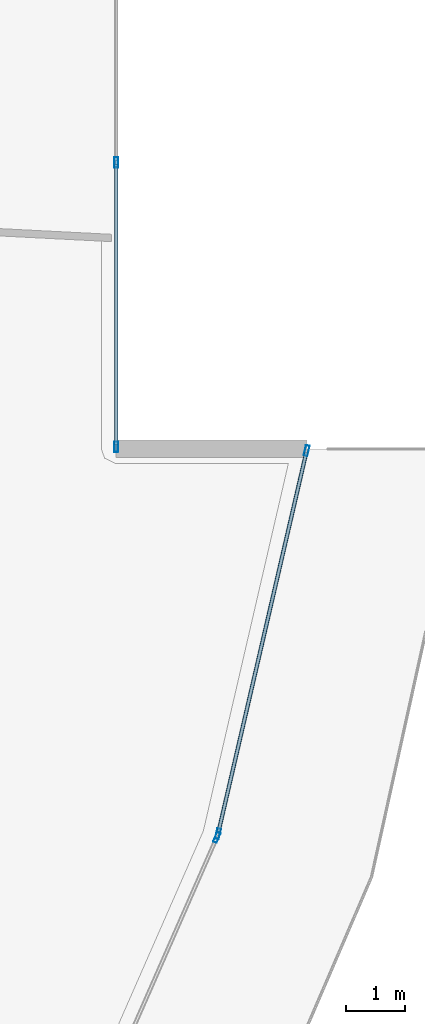
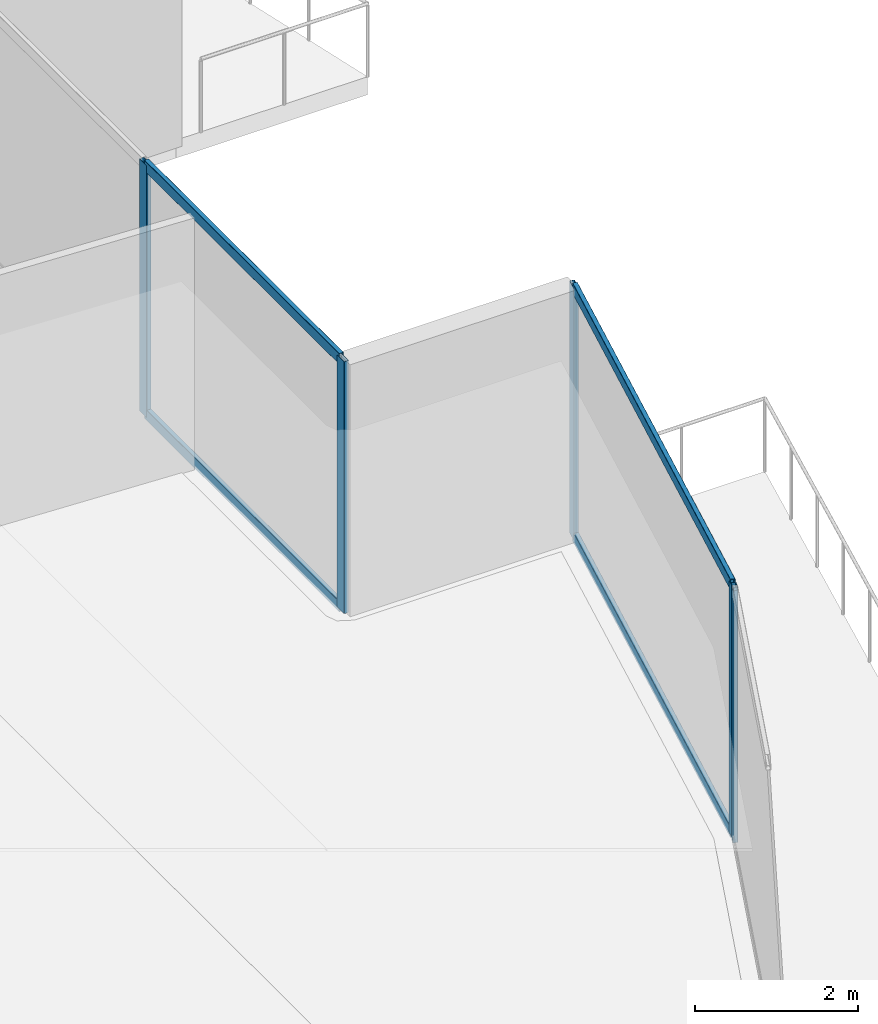
# One storey, part 12 of 38: 9 members, 3 elements without a shape of their own.
"""IFC4 building model written with IfcOpenShell, lengths in metres."""

import ifcopenshell
import ifcopenshell.guid

model = None  # the IFC model being written
_history = None  # IfcOwnerHistory: only IFC2X3 demands one
_inside = {}  # id of a spatial element -> (the spatial element, [elements in it])
_under = {}  # id of a project, library or spatial element -> (it, [spatial elements below it])
_declared = {}  # id of a project -> (the project, [libraries it declares])
_typed = {}  # id of a type object -> (the type object, [elements of that type])
_made_of = {}  # id of a material, layer set ... -> (it, [elements and type objects made of it])


def new_model(schema):
    """Start an empty IFC model of exactly this schema.

    Asked for "IFC4X3", IfcOpenShell would pick the latest addendum, in which some entities
    have other attributes; the version numbers below select the first issue.
    IFC2X3 requires an IfcOwnerHistory on every rooted entity: one is made here for all.
    """
    global model, _history
    if schema == "IFC4X3":
        model = ifcopenshell.file(schema_version=(4, 3, 0, 0))
    else:
        model = ifcopenshell.file(schema=schema)
    _inside.clear()
    _under.clear()
    _declared.clear()
    _typed.clear()
    _made_of.clear()
    _history = None
    if model.schema == "IFC2X3":
        org = make("IfcOrganization", Name="unknown")
        user = make(
            "IfcPersonAndOrganization",
            ThePerson=make("IfcPerson", FamilyName="unknown"),
            TheOrganization=org,
        )
        app = make(
            "IfcApplication",
            ApplicationDeveloper=org,
            Version="unknown",
            ApplicationFullName="unknown",
            ApplicationIdentifier="unknown",
        )
        _history = make(
            "IfcOwnerHistory",
            OwningUser=user,
            OwningApplication=app,
            ChangeAction="ADDED",
            CreationDate=0,
        )
    return model


def make(cls, **values):
    """One entity of the class cls with the attributes given. An attribute that is None is left unset."""
    return model.create_entity(
        cls, **{name: value for name, value in values.items() if value is not None}
    )


def rooted(cls, **values):
    """An entity with a GlobalId (a new one), such as an element, a storey or a relation."""
    return make(cls, GlobalId=ifcopenshell.guid.new(), OwnerHistory=_history, **values)


def si_unit(unit_type, name, prefix=None):
    """IfcSIUnit, for example si_unit("LENGTHUNIT", "METRE", prefix="MILLI")."""
    return make("IfcSIUnit", UnitType=unit_type, Prefix=prefix, Name=name)


def assignment(units):
    """IfcUnitAssignment: the units of a project."""
    return None if units is None else make("IfcUnitAssignment", Units=units)


def point(xyz):
    """IfcCartesianPoint."""
    return None if xyz is None else make("IfcCartesianPoint", Coordinates=xyz)


def direction(xyz):
    """IfcDirection."""
    return None if xyz is None else make("IfcDirection", DirectionRatios=xyz)


def frame(location, z_axis=None, x_axis=None):
    """IfcAxis2Placement3D, a coordinate frame: its origin and axes. An axis left out is left unset."""
    return make(
        "IfcAxis2Placement3D",
        Location=point(location),
        Axis=direction(z_axis),
        RefDirection=direction(x_axis),
    )


def frame_2d(location, x_axis=None):
    """IfcAxis2Placement2D, a coordinate frame in the plane: its origin and x axis."""
    return make(
        "IfcAxis2Placement2D", Location=point(location), RefDirection=direction(x_axis)
    )


def origin():
    """The frame at (0, 0, 0) with its axes left unset."""
    return frame((0.0, 0.0, 0.0))


def origin_2d():
    """The frame at (0, 0) in the plane with its x axis left unset."""
    return frame_2d((0.0, 0.0))


def place(relative_to, where):
    """IfcLocalPlacement: puts the frame where relative to a parent placement (None: the world)."""
    return make(
        "IfcLocalPlacement", PlacementRelTo=relative_to, RelativePlacement=where
    )


def context(
    kind, dimensions, precision=None, world=None, true_north=None, identifier=None
):
    """IfcGeometricRepresentationContext, for example the 3D "Model" context."""
    return make(
        "IfcGeometricRepresentationContext",
        ContextIdentifier=identifier,
        ContextType=kind,
        CoordinateSpaceDimension=dimensions,
        Precision=precision,
        WorldCoordinateSystem=world,
        TrueNorth=true_north,
    )


def subcontext(parent, identifier, kind, view, scale=None):
    """IfcGeometricRepresentationSubContext, for example "Body" below "Model"."""
    return make(
        "IfcGeometricRepresentationSubContext",
        ContextIdentifier=identifier,
        ContextType=kind,
        ParentContext=parent,
        TargetScale=scale,
        TargetView=view,
    )


def project(units=None, contexts=None):
    """IfcProject with its units and contexts."""
    return rooted(
        "IfcProject",
        Name="project",
        RepresentationContexts=contexts,
        UnitsInContext=assignment(units),
    )


def spatial(cls, under=None, at=None, **own):
    """A site, building, storey or space (cls), placed at a placement, below another one or the project."""
    s = rooted(cls, ObjectPlacement=at, **own)
    if under is not None:
        _under.setdefault(under.id(), (under, []))[1].append(s)
    return s


def profile(cls, at=None, kind="AREA", **sizes):
    """A parametric profile (cls). Its sizes go by their IFC names, for example OverallWidth=200.0."""
    return make(cls, ProfileType=kind, Position=at, **sizes)


def hollow_rectangle(**sizes):
    """IfcRectangleHollowProfileDef."""
    return profile("IfcRectangleHollowProfileDef", **sizes)


def extrude(swept, where, along, depth):
    """IfcExtrudedAreaSolid: the profile swept, set in the frame where, extruded along a direction by depth."""
    return make(
        "IfcExtrudedAreaSolid",
        SweptArea=swept,
        Position=where,
        ExtrudedDirection=direction(along),
        Depth=depth,
    )


def shape(context_of_items, identifier, shape_type, items):
    """IfcShapeRepresentation: the items that make up one representation, for example the "Body"."""
    return make(
        "IfcShapeRepresentation",
        ContextOfItems=context_of_items,
        RepresentationIdentifier=identifier,
        RepresentationType=shape_type,
        Items=items,
    )


def material(Name=None, Category=None):
    """IfcMaterial."""
    return make("IfcMaterial", Name=Name, Category=Category)


def layer(
    of_material, thickness, ventilated=None, Name=None, Category=None, Priority=None
):
    """IfcMaterialLayer: one layer of a wall or slab, of a material (None: an air gap)."""
    return make(
        "IfcMaterialLayer",
        Material=of_material,
        LayerThickness=thickness,
        IsVentilated=ventilated,
        Name=Name,
        Category=Category,
        Priority=Priority,
    )


def layer_set(layers, Name=None):
    """IfcMaterialLayerSet."""
    return make("IfcMaterialLayerSet", MaterialLayers=layers, LayerSetName=Name)


def material_profile(
    of_material, cross_section, Name=None, Category=None, Priority=None
):
    """IfcMaterialProfile: a cross section and its material."""
    return make(
        "IfcMaterialProfile",
        Name=Name,
        Material=of_material,
        Profile=cross_section,
        Priority=Priority,
        Category=Category,
    )


def profile_set(profiles, Name=None, composite=None):
    """IfcMaterialProfileSet."""
    return make(
        "IfcMaterialProfileSet",
        Name=Name,
        MaterialProfiles=profiles,
        CompositeProfile=composite,
    )


def made_of(thing, what):
    """Note that an element or type object is made of a material, layer set ...; save() writes the relation."""
    if what is not None:
        _made_of.setdefault(what.id(), (what, []))[1].append(thing)
    return thing


def type_object(cls, material=None, **own):
    """A type object (cls), such as IfcWallType, which elements share."""
    return made_of(rooted(cls, **own), material)


def element(
    cls,
    number,
    at=None,
    inside=None,
    cuts=None,
    type_object=None,
    material=None,
    context=None,
    identifier="Body",
    shape_type=None,
    held_by="IfcProductDefinitionShape",
    body=None,
    shapes=None,
    **own,
):
    """One element of the class cls, such as IfcWall. Its Tag is "e" and its number.

    at: its placement. inside: the storey or other place that contains it. cuts: it is an
    opening in that element (IfcRelVoidsElement). A single representation is given by context,
    identifier, shape_type and body (its items); several are given by shapes. held_by: the class
    of the entity that holds the representations. save() writes the other relations.
    """
    e = rooted(cls, Tag="e%d" % number, ObjectPlacement=at, **own)
    if body is not None:
        shapes = [shape(context, identifier, shape_type, body)]
    if shapes is not None:
        e.Representation = make(held_by, Representations=shapes)
    if inside is not None:
        _inside.setdefault(inside.id(), (inside, []))[1].append(e)
    if cuts is not None:
        rooted(
            "IfcRelVoidsElement", RelatingBuildingElement=cuts, RelatedOpeningElement=e
        )
    if type_object is not None:
        _typed.setdefault(type_object.id(), (type_object, []))[1].append(e)
    return made_of(e, material)


def aggregate(whole, parts):
    """IfcRelAggregates: a whole, such as a stair, and the parts it consists of."""
    return rooted("IfcRelAggregates", RelatingObject=whole, RelatedObjects=parts)


def save(model, path):
    """Write the relations noted so far, then the file.

    IfcRelAggregates (storeys below a building ...), IfcRelContainedInSpatialStructure (elements
    in a storey), IfcRelDefinesByType, IfcRelAssociatesMaterial and IfcRelDeclares: one each for
    every whole, place, type object, material and project.
    """
    for whole, parts in _under.values():
        aggregate(whole, parts)
    for where, things in _inside.values():
        rooted(
            "IfcRelContainedInSpatialStructure",
            RelatedElements=things,
            RelatingStructure=where,
        )
    for kind, things in _typed.values():
        rooted("IfcRelDefinesByType", RelatedObjects=things, RelatingType=kind)
    for what, things in _made_of.values():
        rooted("IfcRelAssociatesMaterial", RelatedObjects=things, RelatingMaterial=what)
    for by, libraries in _declared.values():
        rooted("IfcRelDeclares", RelatingContext=by, RelatedDefinitions=libraries)
    model.write(path)


model = new_model("IFC4")

# Units and contexts
model_context = context("Model", 3, precision=1e-05, world=origin(), true_north=direction((0.0, 1.0)))
body_context = subcontext(model_context, "Body", "Model", "MODEL_VIEW")
ifc_project = project(units=[si_unit("LENGTHUNIT", "METRE"), si_unit("AREAUNIT", "SQUARE_METRE"), si_unit("VOLUMEUNIT", "CUBIC_METRE"), si_unit("PLANEANGLEUNIT", "RADIAN"), si_unit("MASSUNIT", "GRAM", prefix="KILO")], contexts=[model_context])

# Site, building, storey
site_placement = place(None, origin())
site = spatial("IfcSite", under=ifc_project, at=site_placement, CompositionType="ELEMENT")
building_placement = place(site_placement, origin())
building = spatial("IfcBuilding", under=site, at=building_placement, Name="Qorvath Tower", CompositionType="ELEMENT")
storey_placement = place(building_placement, frame((0.0, 0.0, 134.10009765625)))
storey = spatial("IfcBuildingStorey", under=building, at=storey_placement, Name="L30", CompositionType="ELEMENT", Elevation=134.10009765625)

# Curtain wall, member
ifc_material_1 = material(Name="Anodised aluminium and triple low-E glass", Category="aluminium")
ifc_layer = layer(ifc_material_1, 0.179931640625)
ifc_layer_set = layer_set([ifc_layer], Name="CW-SYS-3")
curtain_wall_type = type_object("IfcCurtainWallType", Name="CW-SYS-3", PredefinedType="NOTDEFINED", material=ifc_layer_set)
curtain_wall_1_placement = place(storey_placement, origin())
curtain_wall_1 = element("IfcCurtainWall", 1, at=curtain_wall_1_placement, inside=storey, type_object=curtain_wall_type, Name="Curtain Wall CW-3 CW-T-L30-6.1", PredefinedType="NOTDEFINED")
ifc_material_2 = material(Name="Anodised aluminium 6063-T6", Category="aluminium")
ifc_material_profile_1 = material_profile(ifc_material_2, hollow_rectangle(XDim=0.06494140625, YDim=0.179931640625, WallThickness=0.00341796875, InnerFilletRadius=0.00341796875, OuterFilletRadius=0.007080078125, at=origin_2d()), Name="CWM 180x65")
ifc_profile_set_1 = profile_set([ifc_material_profile_1], Name="Anodised aluminium 6063-T6")
member_type_1 = type_object("IfcMemberType", Name="CWM-180", PredefinedType="MULLION", material=ifc_profile_set_1)
member_1_placement = place(storey_placement, frame((2.578857421875, -11.50634765625, 0.0), z_axis=(0.0, 0.0, 1.0), x_axis=(-0.915735385605, 0.401781910433, 0.0)))
member_1 = element("IfcMember", 2, at=member_1_placement, type_object=member_type_1, Name="CW-3 mullion 2", PredefinedType="MULLION", context=body_context, shape_type="SweptSolid", body=[
    extrude(hollow_rectangle(XDim=0.06494140625, YDim=0.179931640625, WallThickness=0.00341796875, InnerFilletRadius=0.00341796875, OuterFilletRadius=0.007080078125, at=origin_2d()), origin(), (0.0, 0.0, 1.0), 3.77978515625),
])
aggregate(curtain_wall_1, [member_1])

# Curtain wall, members
curtain_wall_2_placement = place(storey_placement, origin())
curtain_wall_2 = element("IfcCurtainWall", 3, at=curtain_wall_2_placement, inside=storey, type_object=curtain_wall_type, Name="Curtain Wall CW-3 CW-T-L30-7.1", PredefinedType="NOTDEFINED")
member_2_placement = place(storey_placement, frame((2.59912109375, -11.44482421875, 0.0), z_axis=(0.0, 0.0, 1.0), x_axis=(-0.974262314004, 0.225417265338, 0.0)))
member_2 = element("IfcMember", 4, at=member_2_placement, type_object=member_type_1, Name="CW-3 mullion 1", PredefinedType="MULLION", context=body_context, shape_type="SweptSolid", body=[
    extrude(hollow_rectangle(XDim=0.06494140625, YDim=0.179931640625, WallThickness=0.00341796875, InnerFilletRadius=0.00341796875, OuterFilletRadius=0.007080078125, at=origin_2d()), origin(), (0.0, 0.0, 1.0), 3.77978515625),
])
member_3_placement = place(storey_placement, frame((4.1103515625, -4.913330078125, 0.0), z_axis=(0.0, 0.0, 1.0), x_axis=(-0.974262314004, 0.225417265338, 0.0)))
member_3 = element("IfcMember", 5, at=member_3_placement, type_object=member_type_1, Name="CW-3 mullion 2", PredefinedType="MULLION", context=body_context, shape_type="SweptSolid", body=[
    extrude(hollow_rectangle(XDim=0.06494140625, YDim=0.179931640625, WallThickness=0.00341796875, InnerFilletRadius=0.00341796875, OuterFilletRadius=0.007080078125, at=origin_2d()), origin(), (0.0, 0.0, 1.0), 3.77978515625),
])

curtain_wall_3_placement = place(storey_placement, origin())
curtain_wall_3 = element("IfcCurtainWall", 6, at=curtain_wall_3_placement, inside=storey, type_object=curtain_wall_type, Name="Curtain Wall CW-3 CW-T-L30-9.1", PredefinedType="NOTDEFINED")
member_4_placement = place(storey_placement, frame((0.86328125, -4.84912109375, 0.0), z_axis=(0.0, 0.0, 1.0), x_axis=(-1.0, 0.0, 0.0)))
member_4 = element("IfcMember", 7, at=member_4_placement, type_object=member_type_1, Name="CW-3 mullion 1", PredefinedType="MULLION", context=body_context, shape_type="SweptSolid", body=[
    extrude(hollow_rectangle(XDim=0.06494140625, YDim=0.179931640625, WallThickness=0.00341796875, InnerFilletRadius=0.00341796875, OuterFilletRadius=0.007080078125, at=origin_2d()), origin(), (0.0, 0.0, 1.0), 3.77978515625),
])
member_5_placement = place(storey_placement, frame((0.86328125, 0.0, 0.0), z_axis=(0.0, 0.0, 1.0), x_axis=(-1.0, 0.0, 0.0)))
member_5 = element("IfcMember", 8, at=member_5_placement, type_object=member_type_1, Name="CW-3 mullion 2", PredefinedType="MULLION", context=body_context, shape_type="SweptSolid", body=[
    extrude(hollow_rectangle(XDim=0.06494140625, YDim=0.179931640625, WallThickness=0.00341796875, InnerFilletRadius=0.00341796875, OuterFilletRadius=0.007080078125, at=origin_2d()), origin(), (0.0, 0.0, 1.0), 3.77978515625),
])

# Member
ifc_material_3 = material(Name="Anodised aluminium 6063-T6", Category="aluminium")
ifc_material_profile_2 = material_profile(ifc_material_3, hollow_rectangle(XDim=0.06494140625, YDim=0.159912109375, WallThickness=0.00341796875, InnerFilletRadius=0.00341796875, OuterFilletRadius=0.007080078125, at=origin_2d()), Name="CWT 160x65")
ifc_profile_set_2 = profile_set([ifc_material_profile_2], Name="Anodised aluminium 6063-T6")
member_type_2 = type_object("IfcMemberType", Name="CWT-160", PredefinedType="USERDEFINED", material=ifc_profile_set_2)
member_6_placement = place(storey_placement, frame((2.6064453125, -11.413330078125, 0.032470703125), z_axis=(0.225410012151, 0.974263992161, 0.0), x_axis=(-0.974263992161, 0.225410012151, 0.0)))
member_6 = element("IfcMember", 9, at=member_6_placement, type_object=member_type_2, Name="CW-3 transom 1.1", ObjectType="TRANSOM", PredefinedType="USERDEFINED", context=body_context, shape_type="SweptSolid", body=[
    extrude(hollow_rectangle(XDim=0.06494140625, YDim=0.159912109375, WallThickness=0.00341796875, InnerFilletRadius=0.00341796875, OuterFilletRadius=0.007080078125, at=origin_2d()), origin(), (0.0, 0.0, 1.0), 6.639404296875),
])

member_7_placement = place(storey_placement, frame((2.6064453125, -11.413330078125, 3.747314453125), z_axis=(0.225410012151, 0.974263992161, 0.0), x_axis=(-0.974263992161, 0.225410012151, 0.0)))
member_7 = element("IfcMember", 10, at=member_7_placement, type_object=member_type_2, Name="CW-3 transom 1.2", ObjectType="TRANSOM", PredefinedType="USERDEFINED", context=body_context, shape_type="SweptSolid", body=[
    extrude(hollow_rectangle(XDim=0.06494140625, YDim=0.159912109375, WallThickness=0.00341796875, InnerFilletRadius=0.00341796875, OuterFilletRadius=0.007080078125, at=origin_2d()), origin(), (0.0, 0.0, 1.0), 6.639404296875),
])

aggregate(curtain_wall_2, [member_2, member_3, member_6, member_7])

member_8_placement = place(storey_placement, frame((0.86328125, -4.816650390625, 0.032470703125), z_axis=(0.0, 1.0, 0.0), x_axis=(-1.0, 0.0, 0.0)))
member_8 = element("IfcMember", 11, at=member_8_placement, type_object=member_type_2, Name="CW-3 transom 1.1", ObjectType="TRANSOM", PredefinedType="USERDEFINED", context=body_context, shape_type="SweptSolid", body=[
    extrude(hollow_rectangle(XDim=0.06494140625, YDim=0.159912109375, WallThickness=0.00341796875, InnerFilletRadius=0.00341796875, OuterFilletRadius=0.007080078125, at=origin_2d()), origin(), (0.0, 0.0, 1.0), 4.7841796875),
])

member_9_placement = place(storey_placement, frame((0.86328125, -4.816650390625, 3.747314453125), z_axis=(0.0, 1.0, 0.0), x_axis=(-1.0, 0.0, 0.0)))
member_9 = element("IfcMember", 12, at=member_9_placement, type_object=member_type_2, Name="CW-3 transom 1.2", ObjectType="TRANSOM", PredefinedType="USERDEFINED", context=body_context, shape_type="SweptSolid", body=[
    extrude(hollow_rectangle(XDim=0.06494140625, YDim=0.159912109375, WallThickness=0.00341796875, InnerFilletRadius=0.00341796875, OuterFilletRadius=0.007080078125, at=origin_2d()), origin(), (0.0, 0.0, 1.0), 4.7841796875),
])

aggregate(curtain_wall_3, [member_4, member_5, member_8, member_9])

save(model, "model.ifc")
